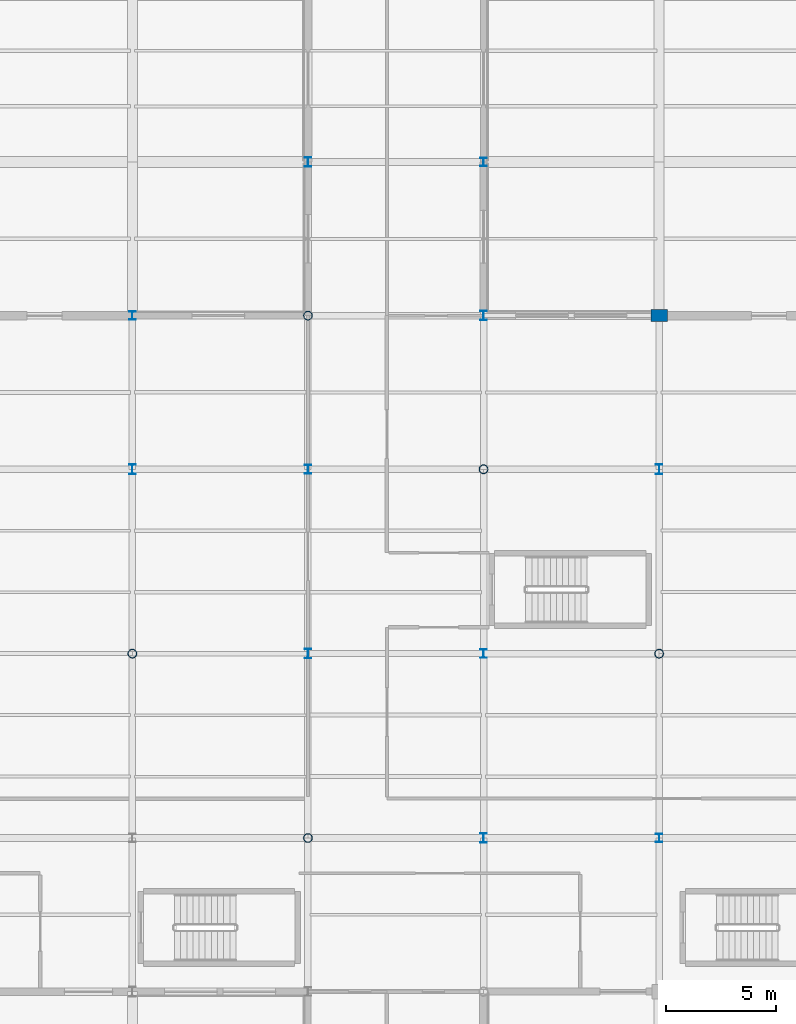
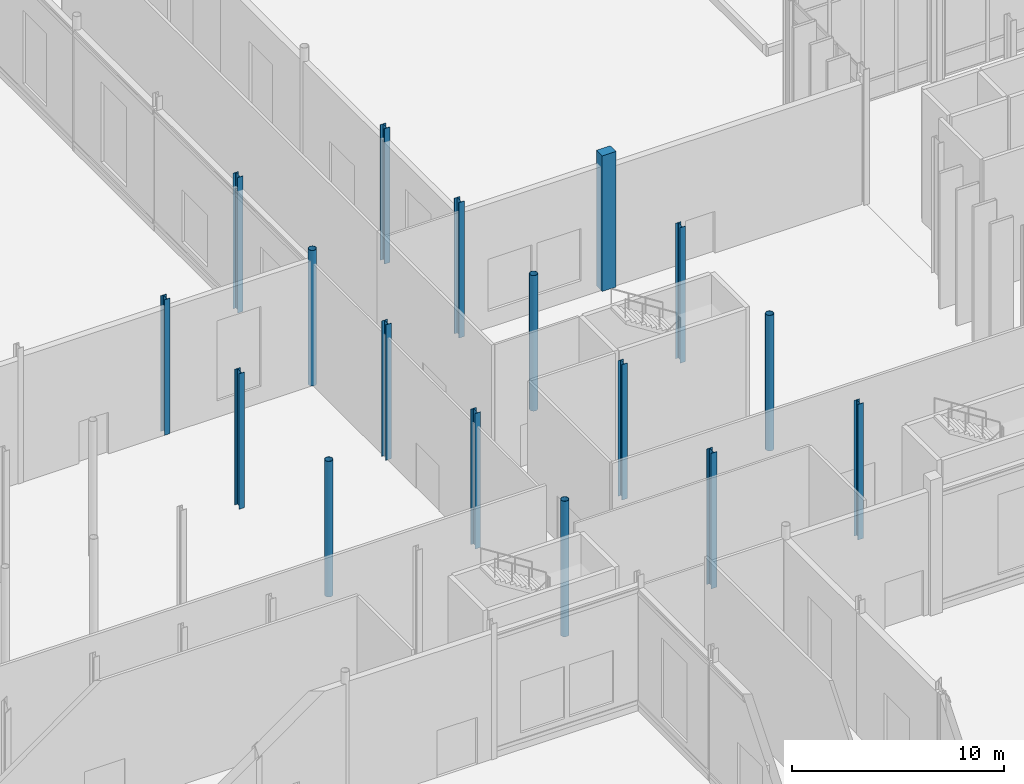
# One storey, part 9 of 176: 17 columns.
"""IFC4 building model written with IfcOpenShell, lengths in metres."""

from ifc_helpers import new_model, si_unit, direction, frame, origin, origin_2d, place, context, subcontext, project, spatial, rectangle, hollow_circle, i_section, extrude, material, material_profile, profile_set, type_object, element, save


model = new_model("IFC4")

# Units and contexts
model_context = context("Model", 3, precision=1e-05, world=origin(), true_north=direction((0.0, 1.0)))
body_context = subcontext(model_context, "Body", "Model", "MODEL_VIEW")
ifc_project = project(units=[si_unit("LENGTHUNIT", "METRE"), si_unit("AREAUNIT", "SQUARE_METRE"), si_unit("VOLUMEUNIT", "CUBIC_METRE"), si_unit("PLANEANGLEUNIT", "RADIAN"), si_unit("MASSUNIT", "GRAM", prefix="KILO")], contexts=[model_context])

# Site, building, storey
site_placement = place(None, origin())
site = spatial("IfcSite", under=ifc_project, at=site_placement, CompositionType="ELEMENT")
building_placement = place(site_placement, origin())
building = spatial("IfcBuilding", under=site, at=building_placement, Name="Vekula Escarpment Museum", CompositionType="ELEMENT")
storey_placement = place(building_placement, origin())
storey = spatial("IfcBuildingStorey", under=building, at=storey_placement, Name="L01", CompositionType="ELEMENT", Elevation=0.0)

# Columns
ifc_material_1 = material(Name="Steel S355", Category="steel")
ifc_material_profile_1 = material_profile(ifc_material_1, hollow_circle(Radius=0.203125, WallThickness=0.02001953125, at=origin_2d()), Name="CHS 406.4x20")
ifc_profile_set_1 = profile_set([ifc_material_profile_1], Name="Steel S355")
column_type_1 = type_object("IfcColumnType", Name="COL-S-CHS406", PredefinedType="COLUMN", material=ifc_profile_set_1)
for number, where, z_axis, x_axis, name in (
    (1, (32.0, 68.0, 0.0), (0.0, 0.0, 1.0), (1.0, 0.0, 0.0), "Column L01 (32.0,68.0)"),
    (2, (40.0, 59.60009765625, 0.0), (0.0, 0.0, 1.0), (1.0, 0.0, 0.0), "Column L01 (40.0,59.6)"),
    (3, (40.0, 83.39990234375, 0.0), (0.0, 0.0, 1.0), (1.0, 0.0, 0.0), "Column L01 (40.0,83.4)"),
    (4, (48.0, 76.39990234375, 0.0), (0.0, 0.0, 1.0), (1.0, 0.0, 0.0), "Column L01 (48.0,76.4)"),
    (5, (56.0, 68.0, 0.0), (0.0, 0.0, 1.0), (1.0, 0.0, 0.0), "Column L01 (56.0,68.0)"),
):
    element("IfcColumn", number, at=place(storey_placement, frame(where, z_axis=z_axis, x_axis=x_axis)), inside=storey, type_object=column_type_1, Name=name, PredefinedType="COLUMN", context=body_context, shape_type="SweptSolid", body=[
        extrude(hollow_circle(Radius=0.203125, WallThickness=0.02001953125, at=origin_2d()), origin(), (0.0, 0.0, 1.0), 7.800048828125),
    ])
ifc_material_2 = material(Name="Steel S355", Category="steel")
ifc_material_profile_2 = material_profile(ifc_material_2, i_section(OverallWidth=0.300048828125, OverallDepth=0.389892578125, WebThickness=0.010986328125, FlangeThickness=0.01904296875, FilletRadius=0.027099609375, at=origin_2d()), Name="HEA 400")
ifc_profile_set_2 = profile_set([ifc_material_profile_2], Name="Steel S355")
column_type_2 = type_object("IfcColumnType", Name="COL-S-HEA400", PredefinedType="COLUMN", material=ifc_profile_set_2)
for number, where, z_axis, x_axis, name in (
    (6, (32.0, 83.39990234375, 0.0), (0.0, 0.0, 1.0), (1.0, 0.0, 0.0), "Column L01 (32.0,83.4)"),
    (7, (40.0, 76.39990234375, 0.0), (0.0, 0.0, 1.0), (1.0, 0.0, 0.0), "Column L01 (40.0,76.4)"),
    (8, (48.0, 68.0, 0.0), (0.0, 0.0, 1.0), (1.0, 0.0, 0.0), "Column L01 (48.0,68.0)"),
    (9, (48.0, 90.39990234375, 0.0), (0.0, 0.0, 1.0), (1.0, 0.0, 0.0), "Column L01 (48.0,90.4)"),
    (10, (56.0, 59.60009765625, 0.0), (0.0, 0.0, 1.0), (1.0, 0.0, 0.0), "Column L01 (56.0,59.6)"),
):
    element("IfcColumn", number, at=place(storey_placement, frame(where, z_axis=z_axis, x_axis=x_axis)), inside=storey, type_object=column_type_2, Name=name, PredefinedType="COLUMN", context=body_context, shape_type="SweptSolid", body=[
        extrude(i_section(OverallWidth=0.300048828125, OverallDepth=0.389892578125, WebThickness=0.010986328125, FlangeThickness=0.01904296875, FilletRadius=0.027099609375, at=origin_2d()), origin(), (0.0, 0.0, 1.0), 7.800048828125),
    ])
ifc_material_3 = material(Name="Steel S355", Category="steel")
ifc_material_profile_3 = material_profile(ifc_material_3, i_section(OverallWidth=0.300048828125, OverallDepth=0.43994140625, WebThickness=0.011474609375, FlangeThickness=0.02099609375, FilletRadius=0.027099609375, at=origin_2d()), Name="HEA 450")
ifc_profile_set_3 = profile_set([ifc_material_profile_3], Name="Steel S355")
column_type_3 = type_object("IfcColumnType", Name="COL-S-HEA450", PredefinedType="COLUMN", material=ifc_profile_set_3)
for number, where, z_axis, x_axis, name in (
    (11, (32.0, 76.39990234375, 0.0), (0.0, 0.0, 1.0), (1.0, 0.0, 0.0), "Column L01 (32.0,76.4)"),
    (12, (40.0, 68.0, 0.0), (0.0, 0.0, 1.0), (1.0, 0.0, 0.0), "Column L01 (40.0,68.0)"),
    (13, (40.0, 90.39990234375, 0.0), (0.0, 0.0, 1.0), (1.0, 0.0, 0.0), "Column L01 (40.0,90.4)"),
    (14, (48.0, 59.60009765625, 0.0), (0.0, 0.0, 1.0), (1.0, 0.0, 0.0), "Column L01 (48.0,59.6)"),
    (15, (48.0, 83.39990234375, 0.0), (0.0, 0.0, 1.0), (1.0, 0.0, 0.0), "Column L01 (48.0,83.4)"),
    (16, (56.0, 76.39990234375, 0.0), (0.0, 0.0, 1.0), (1.0, 0.0, 0.0), "Column L01 (56.0,76.4)"),
):
    element("IfcColumn", number, at=place(storey_placement, frame(where, z_axis=z_axis, x_axis=x_axis)), inside=storey, type_object=column_type_3, Name=name, PredefinedType="COLUMN", context=body_context, shape_type="SweptSolid", body=[
        extrude(i_section(OverallWidth=0.300048828125, OverallDepth=0.43994140625, WebThickness=0.011474609375, FlangeThickness=0.02099609375, FilletRadius=0.027099609375, at=origin_2d()), origin(), (0.0, 0.0, 1.0), 7.800048828125),
    ])
ifc_material_4 = material(Name="Inkisi arkosic sandstone masonry", Category="masonry")
ifc_material_profile_4 = material_profile(ifc_material_4, rectangle(XDim=0.75, YDim=0.550048828125, at=origin_2d()), Name="PIER 750x550")
ifc_profile_set_4 = profile_set([ifc_material_profile_4], Name="Inkisi arkosic sandstone masonry")
column_type_4 = type_object("IfcColumnType", Name="PIL-ALM-750", PredefinedType="PILASTER", material=ifc_profile_set_4)
column_placement = place(storey_placement, frame((56.0, 83.39990234375, 0.0), z_axis=(0.0, 0.0, 1.0), x_axis=(1.0, 0.0, 0.0)))
element("IfcColumn", 17, at=column_placement, inside=storey, type_object=column_type_4, Name="Column L01 (56.0,83.4)", PredefinedType="PILASTER", context=body_context, shape_type="SweptSolid", body=[
    extrude(rectangle(XDim=0.75, YDim=0.550048828125, at=origin_2d()), origin(), (0.0, 0.0, 1.0), 7.800048828125),
])

save(model, "model.ifc")
